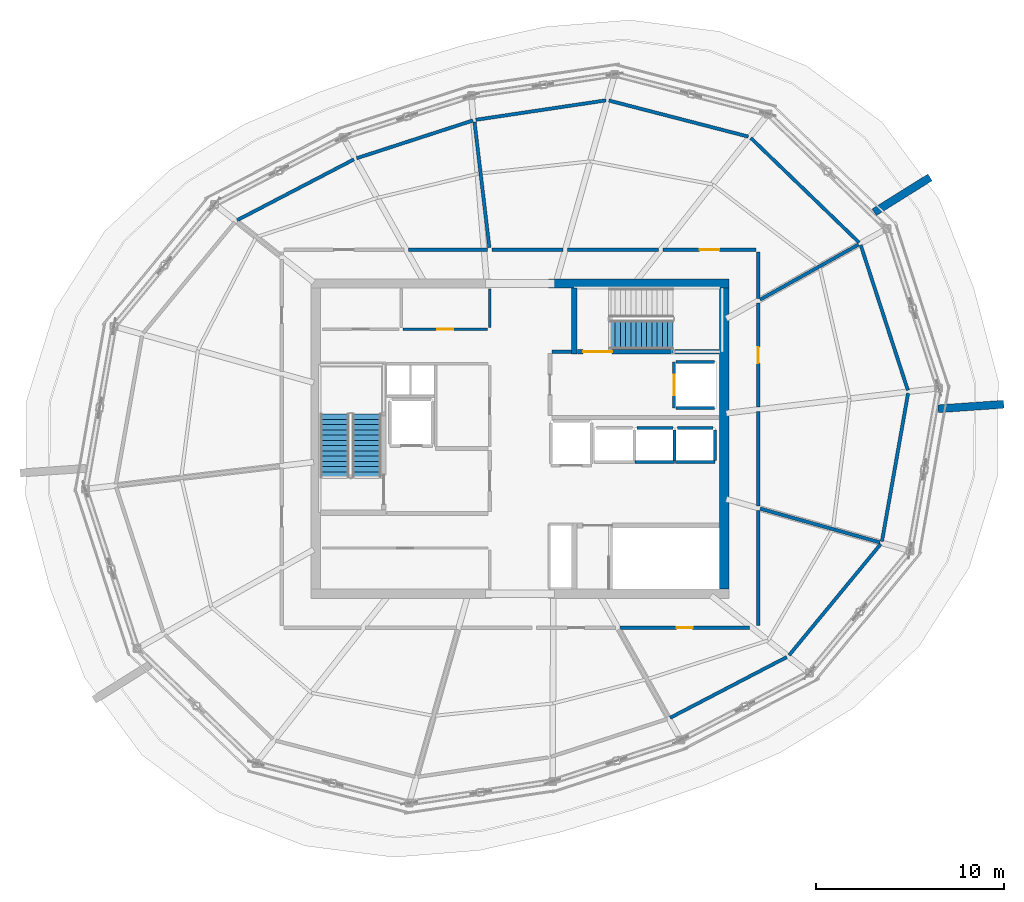
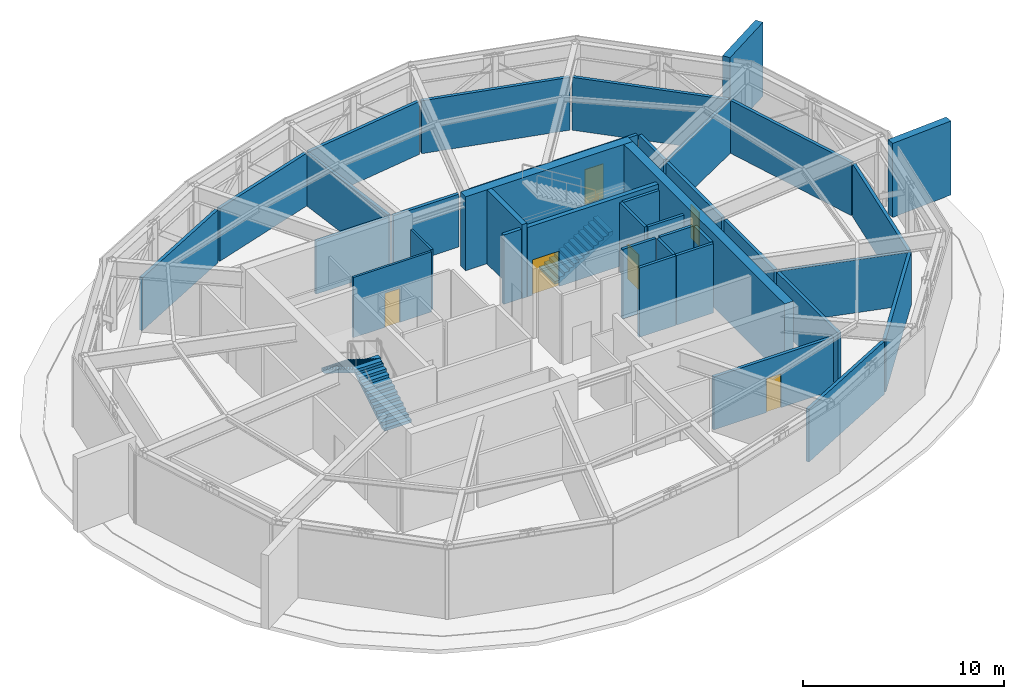
# One storey, part 12 of 14: 39 walls, 6 doors, 3 stair flights, 6 openings, 2 elements without a shape of their own.
"""IFC4 building model written with IfcOpenShell, lengths in metres."""

from ifc_helpers import new_model, si_unit, direction, frame, frame_2d, origin, place, context, subcontext, project, spatial, polyline, rectangle, outline, extrude, material, layer, layer_set, type_object, element, fill, aggregate, save


model = new_model("IFC4")

# Units and contexts
model_context = context("Model", 3, precision=1e-05, world=origin(), true_north=direction((0.0, 1.0)))
body_context = subcontext(model_context, "Body", "Model", "MODEL_VIEW")
ifc_project = project(units=[si_unit("LENGTHUNIT", "METRE"), si_unit("AREAUNIT", "SQUARE_METRE"), si_unit("VOLUMEUNIT", "CUBIC_METRE"), si_unit("PLANEANGLEUNIT", "RADIAN"), si_unit("MASSUNIT", "GRAM", prefix="KILO")], contexts=[model_context])

# Site, building, storey
site_placement = place(None, origin())
site = spatial("IfcSite", under=ifc_project, at=site_placement, CompositionType="ELEMENT")
building_placement = place(site_placement, origin())
building = spatial("IfcBuilding", under=site, at=building_placement, Name="Kazma Halo Residences", CompositionType="ELEMENT")
storey_placement = place(building_placement, frame((0.0, 0.0, 351.5)))
storey = spatial("IfcBuildingStorey", under=building, at=storey_placement, Name="L88", CompositionType="ELEMENT", Elevation=351.5)

# Walls
ifc_material_1 = material(Name="Pale Concrete C60/75", Category="concrete")
ifc_layer_1 = layer(ifc_material_1, 0.419921875)
ifc_layer_set_1 = layer_set([ifc_layer_1], Name="Pale Concrete C60/75")
wall_type_1 = type_object("IfcWallType", Name="WL-BLADE-420", PredefinedType="SOLIDWALL", material=ifc_layer_set_1)
for number, where, z_axis, x_axis, name in (
    (1, (67.268798828125, 54.04052734375, 0.0), (0.0, 0.0, 1.0), (0.848033572426, 0.529942506352, 0.0), "L88 pale concrete structural blade fin wall BW-01"),
    (2, (70.666015625, 43.5849609375, 0.0), (0.0, 0.0, 1.0), (0.997564163539, 0.069754853754, 0.0), "L88 pale concrete structural blade fin wall BW-04"),
):
    element("IfcWall", number, at=place(storey_placement, frame(where, z_axis=z_axis, x_axis=x_axis)), inside=storey, type_object=wall_type_1, Name=name, PredefinedType="SOLIDWALL", context=body_context, shape_type="SweptSolid", body=[
        extrude(rectangle(XDim=3.5, YDim=0.419921875, at=frame_2d((1.75, 0.0))), origin(), (0.0, 0.0, 1.0), 4.5),
    ])
ifc_material_2 = material(Name="Concrete C60/75", Category="concrete")
ifc_layer_2 = layer(ifc_material_2, 0.5)
ifc_layer_set_2 = layer_set([ifc_layer_2], Name="Concrete C60/75")
wall_type_2 = type_object("IfcWallType", Name="WL-CORE-500", PredefinedType="SHEAR", material=ifc_layer_set_2)
wall_1_placement = place(storey_placement, frame((49.949951171875, 50.25, 0.0), z_axis=(0.0, 0.0, 1.0), x_axis=(1.0, 0.0, 0.0)))
element("IfcWall", 3, at=wall_1_placement, inside=storey, type_object=wall_type_2, Name="L88 central core shear wall NE", PredefinedType="SHEAR", context=body_context, shape_type="SweptSolid", body=[
    extrude(rectangle(XDim=9.60009765625, YDim=0.5, at=frame_2d((4.800048828125, 0.0))), origin(), (0.0, 0.0, 1.0), 4.5),
])
wall_2_placement = place(storey_placement, frame((59.300048828125, 34.0, 0.0), z_axis=(0.0, 0.0, 1.0), x_axis=(0.0, 1.0, 0.0)))
element("IfcWall", 4, at=wall_2_placement, inside=storey, type_object=wall_type_2, Name="L88 central core shear wall E", PredefinedType="SHEAR", context=body_context, shape_type="SweptSolid", body=[
    extrude(rectangle(XDim=16.0, YDim=0.5, at=frame_2d((8.0, 0.0))), origin(), (0.0, 0.0, 1.0), 4.5),
])
ifc_layer_3 = layer(ifc_material_2, 0.280029296875)
ifc_layer_set_3 = layer_set([ifc_layer_3], Name="Concrete C60/75")
wall_type_3 = type_object("IfcWallType", Name="WL-CORE-ST-280", PredefinedType="SHEAR", material=ifc_layer_set_3)
wall_3_placement = place(storey_placement, frame((51.31005859375, 46.5, 0.0), z_axis=(0.0, 0.0, 1.0), x_axis=(0.0, 1.0, 0.0)))
element("IfcWall", 5, at=wall_3_placement, inside=storey, type_object=wall_type_3, Name="L88 stairwell bearing wall ST02-W", PredefinedType="SHEAR", context=body_context, shape_type="SweptSolid", body=[
    extrude(rectangle(XDim=3.5, YDim=0.280029296875, at=frame_2d((1.75, 0.0))), origin(), (0.0, 0.0, 1.0), 4.5),
])
ifc_material_3 = material(Name="Acoustic Twin-Stud Gypsum")
ifc_layer_4 = layer(ifc_material_3, 0.179931640625)
ifc_layer_set_4 = layer_set([ifc_layer_4], Name="Acoustic Twin-Stud Gypsum")
wall_type_4 = type_object("IfcWallType", Name="WL-DEM-180", PredefinedType="PARTITIONING", material=ifc_layer_set_4)
wall_4_placement = place(storey_placement, frame((66.466796875, 52.4296875, 0.0), z_axis=(0.0, 0.0, 1.0), x_axis=(-0.719364153135, 0.694633151516, 0.0)))
element("IfcWall", 6, at=wall_4_placement, inside=storey, type_object=wall_type_4, Name="L88 crown plant perimeter wall 00", PredefinedType="PARTITIONING", context=body_context, shape_type="SweptSolid", body=[
    extrude(rectangle(XDim=8.006103515625, YDim=0.179931640625, at=frame_2d((4.0029296875, 0.0))), origin(), (0.0, 0.0, 1.0), 3.212890625),
])
wall_5_placement = place(storey_placement, frame((60.57275390625, 58.06640625, 0.0), z_axis=(0.0, 0.0, 1.0), x_axis=(-0.968117205342, 0.250497658115, 0.0)))
element("IfcWall", 7, at=wall_5_placement, inside=storey, type_object=wall_type_4, Name="L88 crown plant perimeter wall 01", PredefinedType="PARTITIONING", context=body_context, shape_type="SweptSolid", body=[
    extrude(rectangle(XDim=7.66162109375, YDim=0.179931640625, at=frame_2d((3.830810546875, 0.0))), origin(), (0.0, 0.0, 1.0), 3.212890625),
])
wall_6_placement = place(storey_placement, frame((52.9990234375, 59.99365234375, 0.0), z_axis=(0.0, 0.0, 1.0), x_axis=(-0.989034336252, -0.147685753256, 0.0)))
element("IfcWall", 8, at=wall_6_placement, inside=storey, type_object=wall_type_4, Name="L88 crown plant perimeter wall 02", PredefinedType="PARTITIONING", context=body_context, shape_type="SweptSolid", body=[
    extrude(rectangle(XDim=7.002685546875, YDim=0.179931640625, at=frame_2d((3.50146484375, 0.0))), origin(), (0.0, 0.0, 1.0), 3.212890625),
])
wall_7_placement = place(storey_placement, frame((45.91796875, 58.923095703125, 0.0), z_axis=(0.0, 0.0, 1.0), x_axis=(-0.95105283999, -0.309028308649, 0.0)))
element("IfcWall", 9, at=wall_7_placement, inside=storey, type_object=wall_type_4, Name="L88 crown plant perimeter wall 03", PredefinedType="PARTITIONING", context=body_context, shape_type="SweptSolid", body=[
    extrude(rectangle(XDim=6.498779296875, YDim=0.179931640625, at=frame_2d((3.24951171875, 0.0))), origin(), (0.0, 0.0, 1.0), 3.212890625),
])
for number, where, z_axis, x_axis, name in (
    (10, (39.590087890625, 56.85302734375, 0.0), (0.0, 0.0, 1.0), (-0.886949494865, -0.461866423935, 0.0), "L88 crown plant perimeter wall 04"),
    (11, (56.409912109375, 27.14697265625, 0.0), (0.0, 0.0, 1.0), (0.886949494865, 0.461866423935, 0.0), "L88 crown plant perimeter wall 12"),
):
    element("IfcWall", number, at=place(storey_placement, frame(where, z_axis=z_axis, x_axis=x_axis)), inside=storey, type_object=wall_type_4, Name=name, PredefinedType="PARTITIONING", context=body_context, shape_type="SweptSolid", body=[
        extrude(rectangle(XDim=7.002197265625, YDim=0.179931640625, at=frame_2d((3.5009765625, 0.0))), origin(), (0.0, 0.0, 1.0), 3.212890625),
    ])
wall_8_placement = place(storey_placement, frame((62.742431640625, 30.479736328125, 0.0), z_axis=(0.0, 0.0, 1.0), x_axis=(0.636018833443, 0.771673534278, 0.0)))
element("IfcWall", 12, at=wall_8_placement, inside=storey, type_object=wall_type_4, Name="L88 crown plant perimeter wall 13", PredefinedType="PARTITIONING", context=body_context, shape_type="SweptSolid", body=[
    extrude(rectangle(XDim=7.661376953125, YDim=0.179931640625, at=frame_2d((3.83056640625, 0.0))), origin(), (0.0, 0.0, 1.0), 3.212890625),
])
wall_9_placement = place(storey_placement, frame((67.679931640625, 36.532470703125, 0.0), z_axis=(0.0, 0.0, 1.0), x_axis=(0.173668776466, 0.984804120666, 0.0)))
element("IfcWall", 13, at=wall_9_placement, inside=storey, type_object=wall_type_4, Name="L88 crown plant perimeter wall 14", PredefinedType="PARTITIONING", context=body_context, shape_type="SweptSolid", body=[
    extrude(rectangle(XDim=8.005859375, YDim=0.179931640625, at=frame_2d((4.0029296875, 0.0))), origin(), (0.0, 0.0, 1.0), 3.212890625),
])
wall_10_placement = place(storey_placement, frame((69.059326171875, 44.571533203125, 0.0), z_axis=(0.0, 0.0, 1.0), x_axis=(-0.309024234991, 0.951054163646, 0.0)))
element("IfcWall", 14, at=wall_10_placement, inside=storey, type_object=wall_type_4, Name="L88 crown plant perimeter wall 15", PredefinedType="PARTITIONING", context=body_context, shape_type="SweptSolid", body=[
    extrude(rectangle(XDim=8.1240234375, YDim=0.179931640625, at=frame_2d((4.06201171875, 0.0))), origin(), (0.0, 0.0, 1.0), 3.212890625),
])
wall_11_placement = place(storey_placement, frame((61.10009765625, 49.456298828125, 0.0), z_axis=(0.0, 0.0, 1.0), x_axis=(0.0, 1.0, 0.0)))
element("IfcWall", 15, at=wall_11_placement, inside=storey, type_object=wall_type_4, Name="L88 L88 District Cooling Chiller Plant Room corridor wall", PredefinedType="PARTITIONING", context=body_context, shape_type="SweptSolid", body=[
    extrude(rectangle(XDim=2.4736328125, YDim=0.179931640625, at=frame_2d((1.23681640625, 0.0))), origin(), (0.0, 0.0, 1.0), 3.212890625),
])

# Wall, opening, door
wall_12_placement = place(storey_placement, frame((60.97998046875, 52.050048828125, 0.0), z_axis=(0.0, 0.0, 1.0), x_axis=(-1.0, 0.0, 0.0)))
wall_12 = element("IfcWall", 16, at=wall_12_placement, inside=storey, type_object=wall_type_4, Name="L88 L88 District Cooling Chiller Plant Room corridor wall", PredefinedType="PARTITIONING", context=body_context, shape_type="SweptSolid", body=[
    extrude(rectangle(XDim=4.937255859375, YDim=0.179931640625, at=frame_2d((2.46875, 0.0))), origin(), (0.0, 0.0, 1.0), 3.212890625),
])
opening_1_placement = place(wall_12_placement, frame((1.943603515625, 0.0, 0.0)))
opening_1 = element("IfcOpeningElement", 17, at=opening_1_placement, cuts=wall_12, Name="Opening DF-1050", PredefinedType="OPENING", context=body_context, shape_type="SweptSolid", body=[
    extrude(rectangle(XDim=1.050048828125, YDim=2.10009765625, at=frame_2d((0.52490234375, 1.050048828125))), frame((0.0, 0.099853515625, 0.0), z_axis=(0.0, -1.0, 0.0), x_axis=(1.0, 0.0, 0.0)), (0.0, 0.0, 1.0), 0.199951171875),
])
ifc_material_4 = material(Name="Fire-Rated Steel Leaf", Category="steel")
door_type_1 = type_object("IfcDoorType", Name="DR-FD90-1050", OperationType="NOTDEFINED", PredefinedType="DOOR", material=ifc_material_4)
door_1_placement = place(opening_1_placement, origin())
door_1 = element("IfcDoor", 18, at=door_1_placement, inside=storey, type_object=door_type_1, Name="L88 L88 District Cooling Chiller Plant Room door", OperationType="SINGLE_SWING_RIGHT", OverallHeight=2.10009765625, OverallWidth=1.050048828125, PredefinedType="DOOR", context=body_context, shape_type="SweptSolid", body=[
    extrude(rectangle(XDim=1.050048828125, YDim=2.10009765625, at=frame_2d((0.52490234375, 1.050048828125))), frame((0.0, 0.02490234375, 0.0), z_axis=(0.0, -1.0, 0.0), x_axis=(1.0, 0.0, 0.0)), (0.0, 0.0, 1.0), 0.050048828125),
])
fill(opening_1, door_1)

# Walls
wall_13_placement = place(storey_placement, frame((55.802734375, 52.050048828125, 0.0), z_axis=(0.0, 0.0, 1.0), x_axis=(-1.0, 0.0, 0.0)))
element("IfcWall", 19, at=wall_13_placement, inside=storey, type_object=wall_type_4, Name="L88 L88 District Cooling Chiller Plant Room corridor wall", PredefinedType="PARTITIONING", context=body_context, shape_type="SweptSolid", body=[
    extrude(rectangle(XDim=4.848388671875, YDim=0.179931640625, at=frame_2d((2.42431640625, 0.0))), origin(), (0.0, 0.0, 1.0), 3.212890625),
])
wall_14_placement = place(storey_placement, frame((50.71435546875, 52.050048828125, 0.0), z_axis=(0.0, 0.0, 1.0), x_axis=(-1.0, 0.0, 0.0)))
element("IfcWall", 20, at=wall_14_placement, inside=storey, type_object=wall_type_4, Name="L88 L88 District Cooling Chiller Plant Room corridor wall", PredefinedType="PARTITIONING", context=body_context, shape_type="SweptSolid", body=[
    extrude(rectangle(XDim=3.783935546875, YDim=0.179931640625, at=frame_2d((1.89208984375, 0.0))), origin(), (0.0, 0.0, 1.0), 3.212890625),
])
wall_15_placement = place(storey_placement, frame((61.196044921875, 49.39013671875, 0.0), z_axis=(0.0, 0.0, 1.0), x_axis=(0.87249769897, 0.488618220385, 0.0)))
element("IfcWall", 21, at=wall_15_placement, inside=storey, type_object=wall_type_4, Name="L88 radial partition wall 00", PredefinedType="PARTITIONING", context=body_context, shape_type="SweptSolid", body=[
    extrude(rectangle(XDim=6.0068359375, YDim=0.179931640625, at=frame_2d((3.00341796875, 0.0))), origin(), (0.0, 0.0, 1.0), 3.212890625),
])
wall_16_placement = place(storey_placement, frame((46.797607421875, 52.1591796875, 0.0), z_axis=(0.0, 0.0, 1.0), x_axis=(-0.117541495417, 0.993067971921, 0.0)))
element("IfcWall", 22, at=wall_16_placement, inside=storey, type_object=wall_type_4, Name="L88 radial partition wall 03", PredefinedType="PARTITIONING", context=body_context, shape_type="SweptSolid", body=[
    extrude(rectangle(XDim=6.73583984375, YDim=0.179931640625, at=frame_2d((3.367919921875, 0.0))), origin(), (0.0, 0.0, 1.0), 3.212890625),
])
wall_17_placement = place(storey_placement, frame((46.6904296875, 52.050048828125, 0.0), z_axis=(0.0, 0.0, 1.0), x_axis=(-1.0, 0.0, 0.0)))
element("IfcWall", 23, at=wall_17_placement, inside=storey, type_object=wall_type_4, Name="L88 L88 Primary AHU Mechanical Plant Room corridor wall", PredefinedType="PARTITIONING", context=body_context, shape_type="SweptSolid", body=[
    extrude(rectangle(XDim=4.19873046875, YDim=0.179931640625, at=frame_2d((2.099365234375, 0.0))), origin(), (0.0, 0.0, 1.0), 3.212890625),
])

# Wall, opening, door
wall_18_placement = place(storey_placement, frame((53.748291015625, 31.949951171875, 0.0), z_axis=(0.0, 0.0, 1.0), x_axis=(1.0, 0.0, 0.0)))
wall_18 = element("IfcWall", 24, at=wall_18_placement, inside=storey, type_object=wall_type_4, Name="L88 L88 HV Switchgear Plant Room corridor wall", PredefinedType="PARTITIONING", context=body_context, shape_type="SweptSolid", body=[
    extrude(rectangle(XDim=6.880126953125, YDim=0.179931640625, at=frame_2d((3.43994140625, 0.0))), origin(), (0.0, 0.0, 1.0), 3.212890625),
])
opening_2_placement = place(wall_18_placement, frame((3.014892578125, 0.0, 0.0)))
opening_2 = element("IfcOpeningElement", 25, at=opening_2_placement, cuts=wall_18, Name="Opening DS-850", PredefinedType="OPENING", context=body_context, shape_type="SweptSolid", body=[
    extrude(rectangle(XDim=0.85009765625, YDim=2.06005859375, at=frame_2d((0.425048828125, 1.030029296875))), frame((0.0, 0.099853515625, 0.0), z_axis=(0.0, -1.0, 0.0), x_axis=(1.0, 0.0, 0.0)), (0.0, 0.0, 1.0), 0.199951171875),
])
ifc_material_5 = material(Name="Painted Steel Access Leaf", Category="steel")
door_type_2 = type_object("IfcDoorType", Name="DR-SVC-850", OperationType="NOTDEFINED", PredefinedType="DOOR", material=ifc_material_5)
door_2_placement = place(opening_2_placement, origin())
door_2 = element("IfcDoor", 26, at=door_2_placement, inside=storey, type_object=door_type_2, Name="L88 L88 HV Switchgear Plant Room door", OperationType="SINGLE_SWING_LEFT", OverallHeight=2.06005859375, OverallWidth=0.85009765625, PredefinedType="DOOR", context=body_context, shape_type="SweptSolid", body=[
    extrude(rectangle(XDim=0.85009765625, YDim=2.06005859375, at=frame_2d((0.425048828125, 1.030029296875))), frame((0.0, 0.02490234375, 0.0), z_axis=(0.0, -1.0, 0.0), x_axis=(1.0, 0.0, 0.0)), (0.0, 0.0, 1.0), 0.050048828125),
])
fill(opening_2, door_2)

# Walls
wall_19_placement = place(storey_placement, frame((61.10009765625, 32.070068359375, 0.0), z_axis=(0.0, 0.0, 1.0), x_axis=(0.0, 1.0, 0.0)))
element("IfcWall", 27, at=wall_19_placement, inside=storey, type_object=wall_type_4, Name="L88 L88 HV Switchgear Plant Room corridor wall", PredefinedType="PARTITIONING", context=body_context, shape_type="SweptSolid", body=[
    extrude(rectangle(XDim=6.115234375, YDim=0.179931640625, at=frame_2d((3.0576171875, 0.0))), origin(), (0.0, 0.0, 1.0), 3.212890625),
])
wall_20_placement = place(storey_placement, frame((61.205810546875, 38.275390625, 0.0), z_axis=(0.0, 0.0, 1.0), x_axis=(0.962461547865, -0.271418070294, 0.0)))
element("IfcWall", 28, at=wall_20_placement, inside=storey, type_object=wall_type_4, Name="L88 radial partition wall 14", PredefinedType="PARTITIONING", context=body_context, shape_type="SweptSolid", body=[
    extrude(rectangle(XDim=6.6123046875, YDim=0.179931640625, at=frame_2d((3.30615234375, 0.0))), origin(), (0.0, 0.0, 1.0), 3.212890625),
])
wall_21_placement = place(storey_placement, frame((61.10009765625, 38.42529296875, 0.0), z_axis=(0.0, 0.0, 1.0), x_axis=(0.0, 1.0, 0.0)))
element("IfcWall", 29, at=wall_21_placement, inside=storey, type_object=wall_type_4, Name="L88 L88 Lift Machine Mechanical Plant Room corridor wall", PredefinedType="PARTITIONING", context=body_context, shape_type="SweptSolid", body=[
    extrude(rectangle(XDim=5.005126953125, YDim=0.179931640625, at=frame_2d((2.50244140625, 0.0))), origin(), (0.0, 0.0, 1.0), 3.212890625),
])

# Wall, opening, door
wall_22_placement = place(storey_placement, frame((61.10009765625, 43.67041015625, 0.0), z_axis=(0.0, 0.0, 1.0), x_axis=(0.0, 1.0, 0.0)))
wall_22 = element("IfcWall", 30, at=wall_22_placement, inside=storey, type_object=wall_type_4, Name="L88 L88 Lift Machine Mechanical Plant Room corridor wall", PredefinedType="PARTITIONING", context=body_context, shape_type="SweptSolid", body=[
    extrude(rectangle(XDim=5.5458984375, YDim=0.179931640625, at=frame_2d((2.77294921875, 0.0))), origin(), (0.0, 0.0, 1.0), 3.212890625),
])
opening_3_placement = place(wall_22_placement, frame((2.347900390625, 0.0, 0.0)))
opening_3 = element("IfcOpeningElement", 31, at=opening_3_placement, cuts=wall_22, Name="Opening DS-850", PredefinedType="OPENING", context=body_context, shape_type="SweptSolid", body=[
    extrude(rectangle(XDim=0.85009765625, YDim=2.06005859375, at=frame_2d((0.425048828125, 1.030029296875))), frame((0.0, 0.099853515625, 0.0), z_axis=(0.0, -1.0, 0.0), x_axis=(1.0, 0.0, 0.0)), (0.0, 0.0, 1.0), 0.199951171875),
])
door_3_placement = place(opening_3_placement, origin())
door_3 = element("IfcDoor", 32, at=door_3_placement, inside=storey, type_object=door_type_2, Name="L88 L88 Lift Machine Mechanical Plant Room door", OperationType="SINGLE_SWING_RIGHT", OverallHeight=2.06005859375, OverallWidth=0.85009765625, PredefinedType="DOOR", context=body_context, shape_type="SweptSolid", body=[
    extrude(rectangle(XDim=0.85009765625, YDim=2.06005859375, at=frame_2d((0.425048828125, 1.030029296875))), frame((0.0, 0.02490234375, 0.0), z_axis=(0.0, -1.0, 0.0), x_axis=(1.0, 0.0, 0.0)), (0.0, 0.0, 1.0), 0.050048828125),
])
fill(opening_3, door_3)

# Walls
ifc_material_6 = material(Name="Fire-Rated Blockwork Masonry", Category="masonry")
ifc_layer_5 = layer(ifc_material_6, 0.199951171875)
ifc_layer_set_5 = layer_set([ifc_layer_5], Name="Fire-Rated Blockwork Masonry")
wall_type_5 = type_object("IfcWallType", Name="WL-FLB-200", PredefinedType="PARTITIONING", material=ifc_layer_set_5)
wall_23_placement = place(storey_placement, frame((56.655029296875, 40.7451171875, 0.0), z_axis=(0.0, 0.0, 1.0), x_axis=(-1.0, 0.0, 0.0)))
element("IfcWall", 33, at=wall_23_placement, inside=storey, type_object=wall_type_5, Name="L88 lift shaft PH-02 front wall", PredefinedType="PARTITIONING", context=body_context, shape_type="SweptSolid", body=[
    extrude(rectangle(XDim=2.110107421875, YDim=0.159912109375, at=frame_2d((1.05517578125, 0.0))), origin(), (0.0, 0.0, 1.0), 4.219970703125),
])
wall_24_placement = place(storey_placement, frame((56.655029296875, 40.844970703125, 0.0), z_axis=(0.0, 0.0, 1.0), x_axis=(0.0, 1.0, 0.0)))
element("IfcWall", 34, at=wall_24_placement, inside=storey, type_object=wall_type_5, Name="L88 lift shaft PH-02 side wall E", PredefinedType="PARTITIONING", context=body_context, shape_type="SweptSolid", body=[
    extrude(rectangle(XDim=1.610107421875, YDim=0.159912109375, at=frame_2d((0.80517578125, 0.0))), origin(), (0.0, 0.0, 1.0), 4.219970703125),
])
wall_25_placement = place(storey_placement, frame((54.64501953125, 42.554931640625, 0.0), z_axis=(0.0, 0.0, 1.0), x_axis=(1.0, 0.0, 0.0)))
element("IfcWall", 35, at=wall_25_placement, inside=storey, type_object=wall_type_5, Name="L88 lift shaft PH-02 side wall N", PredefinedType="PARTITIONING", context=body_context, shape_type="SweptSolid", body=[
    extrude(rectangle(XDim=1.909912109375, YDim=0.159912109375, at=frame_2d((0.955078125, 0.0))), origin(), (0.0, 0.0, 1.0), 4.219970703125),
])
wall_26_placement = place(storey_placement, frame((58.804931640625, 40.7451171875, 0.0), z_axis=(0.0, 0.0, 1.0), x_axis=(-1.0, 0.0, 0.0)))
element("IfcWall", 36, at=wall_26_placement, inside=storey, type_object=wall_type_5, Name="L88 lift shaft PH-03 front wall", PredefinedType="PARTITIONING", context=body_context, shape_type="SweptSolid", body=[
    extrude(rectangle(XDim=2.10986328125, YDim=0.159912109375, at=frame_2d((1.054931640625, 0.0))), origin(), (0.0, 0.0, 1.0), 4.219970703125),
])
wall_27_placement = place(storey_placement, frame((58.804931640625, 40.844970703125, 0.0), z_axis=(0.0, 0.0, 1.0), x_axis=(0.0, 1.0, 0.0)))
element("IfcWall", 37, at=wall_27_placement, inside=storey, type_object=wall_type_5, Name="L88 lift shaft PH-03 side wall E", PredefinedType="PARTITIONING", context=body_context, shape_type="SweptSolid", body=[
    extrude(rectangle(XDim=1.610107421875, YDim=0.159912109375, at=frame_2d((0.80517578125, 0.0))), origin(), (0.0, 0.0, 1.0), 4.219970703125),
])
wall_28_placement = place(storey_placement, frame((56.794921875, 42.554931640625, 0.0), z_axis=(0.0, 0.0, 1.0), x_axis=(1.0, 0.0, 0.0)))
element("IfcWall", 38, at=wall_28_placement, inside=storey, type_object=wall_type_5, Name="L88 lift shaft PH-03 side wall N", PredefinedType="PARTITIONING", context=body_context, shape_type="SweptSolid", body=[
    extrude(rectangle(XDim=1.91015625, YDim=0.159912109375, at=frame_2d((0.955078125, 0.0))), origin(), (0.0, 0.0, 1.0), 4.219970703125),
])

# Wall, opening, door
wall_29_placement = place(storey_placement, frame((56.6201171875, 46.080078125, 0.0), z_axis=(0.0, 0.0, 1.0), x_axis=(0.0, -1.0, 0.0)))
wall_29 = element("IfcWall", 39, at=wall_29_placement, inside=storey, type_object=wall_type_5, Name="L88 lift shaft FL-02 front wall", PredefinedType="PARTITIONING", context=body_context, shape_type="SweptSolid", body=[
    extrude(rectangle(XDim=2.4599609375, YDim=0.159912109375, at=frame_2d((1.22998046875, 0.0))), origin(), (0.0, 0.0, 1.0), 4.219970703125),
])
opening_4_placement = place(wall_29_placement, frame((0.679931640625, 0.0, 0.0)))
opening_4 = element("IfcOpeningElement", 40, at=opening_4_placement, cuts=wall_29, Name="Opening LD-FL-02", PredefinedType="OPENING", context=body_context, shape_type="SweptSolid", body=[
    extrude(rectangle(XDim=1.10009765625, YDim=2.10009765625, at=frame_2d((0.550048828125, 1.050048828125))), frame((0.0, 0.08984375, 0.0), z_axis=(0.0, -1.0, 0.0), x_axis=(1.0, 0.0, 0.0)), (0.0, 0.0, 1.0), 0.179931640625),
])
ifc_material_7 = material(Name="Stainless Steel Fire-Rated", Category="steel")
door_type_3 = type_object("IfcDoorType", Name="DR-LIFT-SLD-1100", OperationType="DOUBLE_DOOR_SLIDING", PredefinedType="DOOR", material=ifc_material_7)
door_4_placement = place(opening_4_placement, origin())
door_4 = element("IfcDoor", 41, at=door_4_placement, inside=storey, type_object=door_type_3, Name="L88 lift FL-02 sliding landing door", OperationType="DOUBLE_DOOR_SLIDING", OverallHeight=2.10009765625, OverallWidth=1.10009765625, PredefinedType="DOOR", context=body_context, shape_type="SweptSolid", body=[
    extrude(rectangle(XDim=1.10009765625, YDim=2.10009765625, at=frame_2d((0.550048828125, 1.050048828125))), frame((0.0, 0.02490234375, 0.0), z_axis=(0.0, -1.0, 0.0), x_axis=(1.0, 0.0, 0.0)), (0.0, 0.0, 1.0), 0.050048828125),
])
fill(opening_4, door_4)

# Walls
for number, where, z_axis, x_axis, name in (
    (42, (56.719970703125, 46.080078125, 0.0), (0.0, 0.0, 1.0), (1.0, 0.0, 0.0), "L88 lift shaft FL-02 side wall N"),
    (43, (56.719970703125, 43.6201171875, 0.0), (0.0, 0.0, 1.0), (1.0, 0.0, 0.0), "L88 lift shaft FL-02 side wall S"),
):
    element("IfcWall", number, at=place(storey_placement, frame(where, z_axis=z_axis, x_axis=x_axis)), inside=storey, type_object=wall_type_5, Name=name, PredefinedType="PARTITIONING", context=body_context, shape_type="SweptSolid", body=[
        extrude(rectangle(XDim=2.06005859375, YDim=0.159912109375, at=frame_2d((1.030029296875, 0.0))), origin(), (0.0, 0.0, 1.0), 4.219970703125),
    ])
wall_30_placement = place(storey_placement, frame((50.139892578125, 46.6201171875, 0.0), z_axis=(0.0, 0.0, 1.0), x_axis=(1.0, 0.0, 0.0)))
element("IfcWall", 44, at=wall_30_placement, inside=storey, type_object=wall_type_5, Name="L88 east firefighting lobby north closure wall", PredefinedType="PARTITIONING", context=body_context, shape_type="SweptSolid", body=[
    extrude(rectangle(XDim=1.02001953125, YDim=0.199951171875, at=frame_2d((0.510009765625, 0.0))), origin(), (0.0, 0.0, 1.0), 4.219970703125),
])
ifc_material_8 = material(Name="Gypsum Plasterboard Partition")
ifc_layer_6 = layer(ifc_material_8, 0.125)
ifc_layer_set_6 = layer_set([ifc_layer_6], Name="Gypsum Plasterboard Partition")
wall_type_6 = type_object("IfcWallType", Name="WL-PART-125", PredefinedType="PARTITIONING", material=ifc_layer_set_6)
wall_31_placement = place(storey_placement, frame((46.820068359375, 47.919921875, 0.0), z_axis=(0.0, 0.0, 1.0), x_axis=(0.0, 1.0, 0.0)))
element("IfcWall", 45, at=wall_31_placement, inside=storey, type_object=wall_type_6, Name="L88 reclaimed north east wall", PredefinedType="PARTITIONING", context=body_context, shape_type="SweptSolid", body=[
    extrude(rectangle(XDim=2.030029296875, YDim=0.125, at=frame_2d((1.01513671875, 0.0))), origin(), (0.0, 0.0, 1.0), 3.659912109375),
])

# Wall, opening, door
wall_32_placement = place(storey_placement, frame((42.199951171875, 47.820068359375, 0.0), z_axis=(0.0, 0.0, 1.0), x_axis=(1.0, 0.0, 0.0)))
wall_32 = element("IfcWall", 46, at=wall_32_placement, inside=storey, type_object=wall_type_6, Name="L88 reclaimed north E front wall", PredefinedType="PARTITIONING", context=body_context, shape_type="SweptSolid", body=[
    extrude(rectangle(XDim=4.5, YDim=0.125, at=frame_2d((2.25, 0.0))), origin(), (0.0, 0.0, 1.0), 3.659912109375),
])
opening_5_placement = place(wall_32_placement, frame((1.824951171875, 0.0, 0.0)))
opening_5 = element("IfcOpeningElement", 47, at=opening_5_placement, cuts=wall_32, Name="Opening DS-850", PredefinedType="OPENING", context=body_context, shape_type="SweptSolid", body=[
    extrude(rectangle(XDim=0.85009765625, YDim=2.06005859375, at=frame_2d((0.425048828125, 1.030029296875))), frame((0.0, 0.072509765625, 0.0), z_axis=(0.0, -1.0, 0.0), x_axis=(1.0, 0.0, 0.0)), (0.0, 0.0, 1.0), 0.14501953125),
])
door_5_placement = place(opening_5_placement, origin())
door_5 = element("IfcDoor", 48, at=door_5_placement, inside=storey, type_object=door_type_2, Name="L88 reclaimed north E door", OperationType="SINGLE_SWING_LEFT", OverallHeight=2.06005859375, OverallWidth=0.85009765625, PredefinedType="DOOR", context=body_context, shape_type="SweptSolid", body=[
    extrude(rectangle(XDim=0.85009765625, YDim=2.06005859375, at=frame_2d((0.425048828125, 1.030029296875))), frame((0.0, 0.02490234375, 0.0), z_axis=(0.0, -1.0, 0.0), x_axis=(1.0, 0.0, 0.0)), (0.0, 0.0, 1.0), 0.050048828125),
])
fill(opening_5, door_5)

ifc_material_9 = material(Name="Concrete C50/60", Category="concrete")
ifc_layer_7 = layer(ifc_material_9, 0.25)
ifc_layer_set_7 = layer_set([ifc_layer_7], Name="Concrete C50/60")
wall_type_7 = type_object("IfcWallType", Name="WL-SHF-250", PredefinedType="SOLIDWALL", material=ifc_layer_set_7)
wall_33_placement = place(storey_placement, frame((51.47998046875, 46.6201171875, 0.0), z_axis=(0.0, 0.0, 1.0), x_axis=(1.0, 0.0, 0.0)))
wall_33 = element("IfcWall", 49, at=wall_33_placement, inside=storey, type_object=wall_type_7, Name="L88 exit stair ST-02 enclosure wall", PredefinedType="SOLIDWALL", context=body_context, shape_type="SweptSolid", body=[
    extrude(rectangle(XDim=7.5400390625, YDim=0.25, at=frame_2d((3.77001953125, 0.0))), origin(), (0.0, 0.0, 1.0), 4.219970703125),
])
opening_6_placement = place(wall_33_placement, frame((0.300048828125, 0.0, 0.0)))
opening_6 = element("IfcOpeningElement", 50, at=opening_6_placement, cuts=wall_33, Name="Opening D-ST2", PredefinedType="OPENING", context=body_context, shape_type="SweptSolid", body=[
    extrude(rectangle(XDim=1.550048828125, YDim=2.14990234375, at=frame_2d((0.77490234375, 1.074951171875))), frame((0.0, 0.135009765625, 0.0), z_axis=(0.0, -1.0, 0.0), x_axis=(1.0, 0.0, 0.0)), (0.0, 0.0, 1.0), 0.27001953125),
])
ifc_material_10 = material(Name="Fire-Rated Double Steel Leaf", Category="steel")
door_type_4 = type_object("IfcDoorType", Name="DR-FD90-1550", OperationType="NOTDEFINED", PredefinedType="DOOR", material=ifc_material_10)
door_6_placement = place(opening_6_placement, origin())
door_6 = element("IfcDoor", 51, at=door_6_placement, inside=storey, type_object=door_type_4, Name="L88 exit stair ST-02 fire door", OperationType="DOUBLE_DOOR_SINGLE_SWING", OverallHeight=2.14990234375, OverallWidth=1.550048828125, PredefinedType="DOOR", context=body_context, shape_type="SweptSolid", body=[
    extrude(rectangle(XDim=1.550048828125, YDim=2.14990234375, at=frame_2d((0.77490234375, 1.074951171875))), frame((0.0, 0.02490234375, 0.0), z_axis=(0.0, -1.0, 0.0), x_axis=(1.0, 0.0, 0.0)), (0.0, 0.0, 1.0), 0.050048828125),
])
fill(opening_6, door_6)

# Stair, stair flights
stair_type = type_object("IfcStairType", Name="STR-CRWN", PredefinedType="HALF_TURN_STAIR", material=ifc_material_9)
stair_1_placement = place(storey_placement, origin())
stair_1 = element("IfcStair", 52, at=stair_1_placement, inside=storey, type_object=stair_type, Name="L88 Core exit stair ST-01", PredefinedType="HALF_TURN_STAIR")
stair_flight_type = type_object("IfcStairFlightType", Name="STR-CRWN-FLT", PredefinedType="STRAIGHT", material=ifc_material_9)
stair_flight_1_placement = place(storey_placement, frame((40.27490234375, 39.949951171875, 0.0), z_axis=(0.0, 0.0, 1.0), x_axis=(0.0, 1.0, 0.0)))
stair_flight_1 = element("IfcStairFlight", 53, at=stair_flight_1_placement, type_object=stair_flight_type, Name="ST-01 flight 1", NumberOfRisers=13, NumberOfTreads=12, PredefinedType="STRAIGHT", RiserHeight=0.173076923, TreadLength=0.28, context=body_context, shape_type="SweptSolid", body=[
    extrude(outline(polyline([(0.0, 0.0), (0.0, 0.173095703125), (0.280029296875, 0.173095703125), (0.280029296875, 0.34619140625), (0.56005859375, 0.34619140625), (0.56005859375, 0.519287109375), (0.840087890625, 0.519287109375), (0.840087890625, 0.6923828125), (1.1201171875, 0.6923828125), (1.1201171875, 0.865478515625), (1.39990234375, 0.865478515625), (1.39990234375, 1.03857421875), (1.679931640625, 1.03857421875), (1.679931640625, 1.21142578125), (1.9599609375, 1.21142578125), (1.9599609375, 1.384521484375), (2.239990234375, 1.384521484375), (2.239990234375, 1.5576171875), (2.52001953125, 1.5576171875), (2.52001953125, 1.730712890625), (2.800048828125, 1.730712890625), (2.800048828125, 1.90380859375), (3.080078125, 1.90380859375), (3.080078125, 2.076904296875), (3.360107421875, 2.076904296875), (3.360107421875, 2.25), (3.360107421875, 1.900634765625), (0.28515625, 0.0), (0.0, 0.0)])), frame((0.0, 0.77490234375, 0.0), z_axis=(0.0, -1.0, 0.0), x_axis=(1.0, 0.0, 0.0)), (0.0, 0.0, 1.0), 1.550048828125),
])
stair_flight_2_placement = place(storey_placement, frame((38.574951171875, 43.31005859375, 2.25), z_axis=(0.0, 0.0, 1.0), x_axis=(0.0, -1.0, 0.0)))
stair_flight_2 = element("IfcStairFlight", 54, at=stair_flight_2_placement, type_object=stair_flight_type, Name="ST-01 flight 2", NumberOfRisers=13, NumberOfTreads=12, PredefinedType="STRAIGHT", RiserHeight=0.173076923, TreadLength=0.28, context=body_context, shape_type="SweptSolid", body=[
    extrude(outline(polyline([(0.0, 0.0), (0.0, 0.173095703125), (0.280029296875, 0.173095703125), (0.280029296875, 0.34619140625), (0.56005859375, 0.34619140625), (0.56005859375, 0.519287109375), (0.840087890625, 0.519287109375), (0.840087890625, 0.6923828125), (1.1201171875, 0.6923828125), (1.1201171875, 0.865478515625), (1.39990234375, 0.865478515625), (1.39990234375, 1.03857421875), (1.679931640625, 1.03857421875), (1.679931640625, 1.21142578125), (1.9599609375, 1.21142578125), (1.9599609375, 1.384521484375), (2.239990234375, 1.384521484375), (2.239990234375, 1.5576171875), (2.52001953125, 1.5576171875), (2.52001953125, 1.730712890625), (2.800048828125, 1.730712890625), (2.800048828125, 1.90380859375), (3.080078125, 1.90380859375), (3.080078125, 2.076904296875), (3.360107421875, 2.076904296875), (3.360107421875, 2.25), (3.360107421875, 1.900634765625), (0.28515625, 0.0), (0.0, 0.0)])), frame((0.0, 0.77490234375, 0.0), z_axis=(0.0, -1.0, 0.0), x_axis=(1.0, 0.0, 0.0)), (0.0, 0.0, 1.0), 1.550048828125),
])
aggregate(stair_1, [stair_flight_1, stair_flight_2])

# Stair, stair flight
stair_2_placement = place(storey_placement, origin())
stair_2 = element("IfcStair", 55, at=stair_2_placement, inside=storey, type_object=stair_type, Name="L88 Core exit stair ST-02", PredefinedType="HALF_TURN_STAIR")
stair_flight_3_placement = place(storey_placement, frame((53.199951171875, 47.52490234375, 0.0), z_axis=(0.0, 0.0, 1.0), x_axis=(1.0, 0.0, 0.0)))
stair_flight_3 = element("IfcStairFlight", 56, at=stair_flight_3_placement, type_object=stair_flight_type, Name="ST-02 flight 1", NumberOfRisers=13, NumberOfTreads=12, PredefinedType="STRAIGHT", RiserHeight=0.173076923, TreadLength=0.28, context=body_context, shape_type="SweptSolid", body=[
    extrude(outline(polyline([(0.0, 0.0), (0.0, 0.173095703125), (0.280029296875, 0.173095703125), (0.280029296875, 0.34619140625), (0.56005859375, 0.34619140625), (0.56005859375, 0.519287109375), (0.840087890625, 0.519287109375), (0.840087890625, 0.6923828125), (1.1201171875, 0.6923828125), (1.1201171875, 0.865478515625), (1.39990234375, 0.865478515625), (1.39990234375, 1.03857421875), (1.679931640625, 1.03857421875), (1.679931640625, 1.21142578125), (1.9599609375, 1.21142578125), (1.9599609375, 1.384521484375), (2.239990234375, 1.384521484375), (2.239990234375, 1.5576171875), (2.52001953125, 1.5576171875), (2.52001953125, 1.730712890625), (2.800048828125, 1.730712890625), (2.800048828125, 1.90380859375), (3.080078125, 1.90380859375), (3.080078125, 2.076904296875), (3.360107421875, 2.076904296875), (3.360107421875, 2.25), (3.360107421875, 1.900634765625), (0.28515625, 0.0), (0.0, 0.0)])), frame((0.0, 0.77490234375, 0.0), z_axis=(0.0, -1.0, 0.0), x_axis=(1.0, 0.0, 0.0)), (0.0, 0.0, 1.0), 1.550048828125),
])
aggregate(stair_2, [stair_flight_3])

save(model, "model.ifc")
